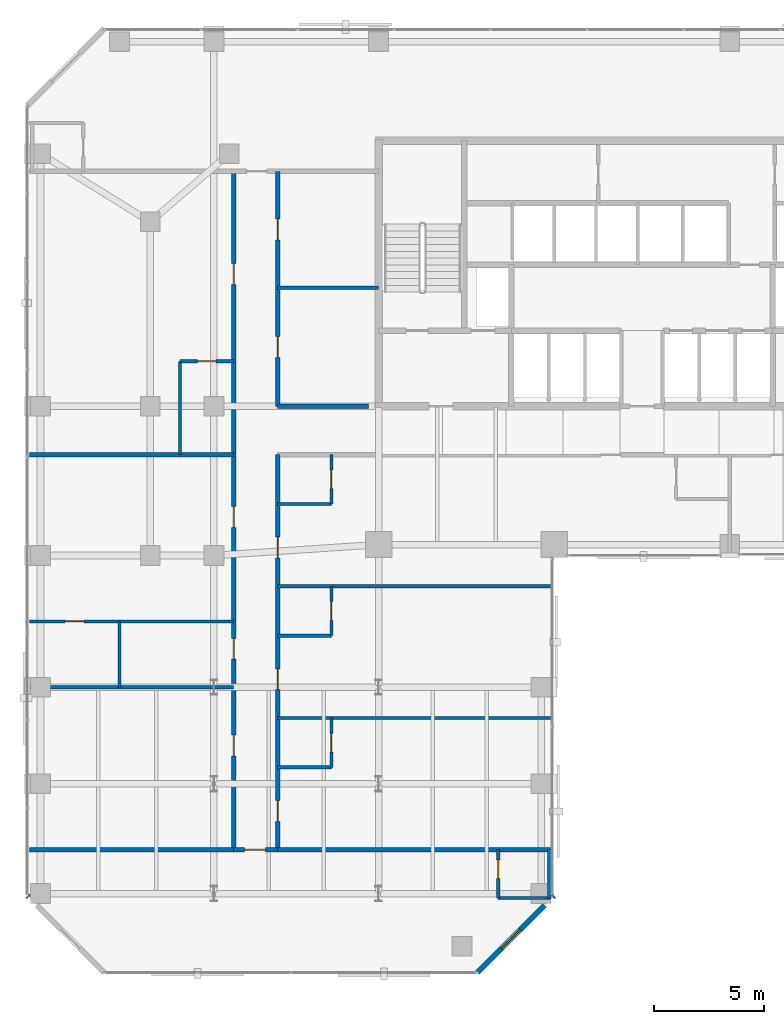
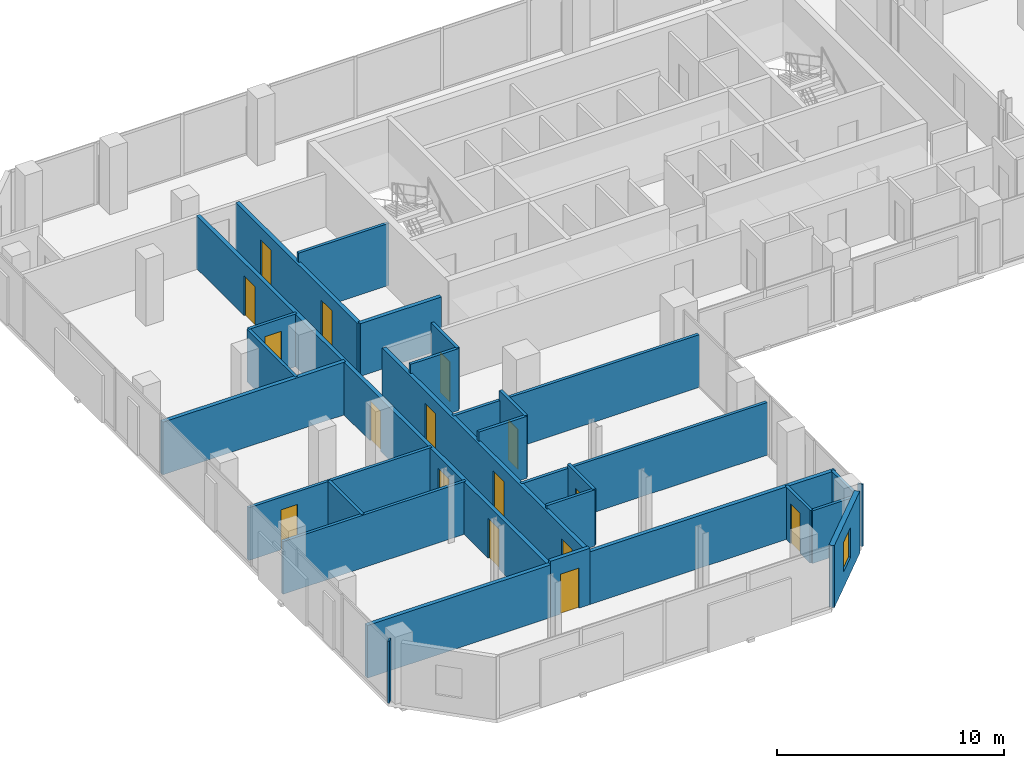
# One storey, part 28 of 35: 28 walls, 16 doors, 1 window, 17 openings.
"""IFC4 building model written with IfcOpenShell, lengths in metres."""

from ifc_helpers import new_model, si_unit, direction, frame, frame_2d, origin, place, context, subcontext, project, spatial, rectangle, extrude, material, layer, layer_set, type_object, element, fill, save


model = new_model("IFC4")

# Units and contexts
model_context = context("Model", 3, precision=1e-05, world=origin(), true_north=direction((0.0, 1.0)))
body_context = subcontext(model_context, "Body", "Model", "MODEL_VIEW")
ifc_project = project(units=[si_unit("LENGTHUNIT", "METRE"), si_unit("AREAUNIT", "SQUARE_METRE"), si_unit("VOLUMEUNIT", "CUBIC_METRE"), si_unit("PLANEANGLEUNIT", "RADIAN"), si_unit("MASSUNIT", "GRAM", prefix="KILO")], contexts=[model_context])

# Site, building, storey
site_placement = place(None, origin())
site = spatial("IfcSite", under=ifc_project, at=site_placement, CompositionType="ELEMENT")
building_placement = place(site_placement, origin())
building = spatial("IfcBuilding", under=site, at=building_placement, Name="Catumbela Crestline Tower", CompositionType="ELEMENT")
storey_placement = place(building_placement, frame((0.0, 0.0, 90.0)))
storey = spatial("IfcBuildingStorey", under=building, at=storey_placement, Name="L22", CompositionType="ELEMENT", Elevation=90.0)

# Walls
ifc_material_1 = material(Name="Acoustic gypsum and mineral-wool partition")
ifc_layer_1 = layer(ifc_material_1, 0.2, Name="Acoustic gypsum and mineral-wool partition")
ifc_layer_set_1 = layer_set([ifc_layer_1], Name="Acoustic gypsum and mineral-wool partition")
wall_type_1 = type_object("IfcWallType", Name="WC-200", PredefinedType="PARTITIONING", material=ifc_layer_set_1)
wall_1_placement = place(storey_placement, frame((0.1, 28.6, 0.0), z_axis=(0.0, 0.0, 1.0), x_axis=(1.0, 0.0, 0.0)))
element("IfcWall", 1, at=wall_1_placement, inside=storey, type_object=wall_type_1, Name="L22 Interior Partition PW-L22-Z2CW-N1", PredefinedType="PARTITIONING", context=body_context, shape_type="SweptSolid", body=[
    extrude(rectangle(XDim=9.3, YDim=0.2, at=frame_2d((4.65, 0.0))), origin(), (0.0, 0.0, 1.0), 2.83),
])
wall_2_placement = place(storey_placement, frame((11.4, 30.8, 0.0), z_axis=(0.0, 0.0, 1.0), x_axis=(1.0, 0.0, 0.0)))
element("IfcWall", 2, at=wall_2_placement, inside=storey, type_object=wall_type_1, Name="L22 Interior Partition PW-L22-Z2CW-N3", PredefinedType="PARTITIONING", context=body_context, shape_type="SweptSolid", body=[
    extrude(rectangle(XDim=4.13, YDim=0.2, at=frame_2d((2.065, 0.0))), origin(), (0.0, 0.0, 1.0), 2.83),
])

# Wall, openings, doors
wall_3_placement = place(storey_placement, frame((9.4, 10.6, 0.0), z_axis=(0.0, 0.0, 1.0), x_axis=(0.0, 1.0, 0.0)))
wall_3 = element("IfcWall", 3, at=wall_3_placement, inside=storey, type_object=wall_type_1, Name="L22 Interior Partition PW-L22-STWC-ENT", PredefinedType="PARTITIONING", context=body_context, shape_type="SweptSolid", body=[
    extrude(rectangle(XDim=30.9, YDim=0.2, at=frame_2d((15.45, 0.0))), origin(), (0.0, 0.0, 1.0), 2.83),
])
opening_1_placement = place(wall_3_placement, frame((8.6794, 0.0, 0.0)))
opening_1 = element("IfcOpeningElement", 4, at=opening_1_placement, cuts=wall_3, Name="Opening DF6-095", PredefinedType="OPENING", context=body_context, shape_type="SweptSolid", body=[
    extrude(rectangle(XDim=0.95, YDim=2.15, at=frame_2d((0.475, 1.075))), frame((0.0, 0.11, 0.0), z_axis=(0.0, -1.0, 0.0), x_axis=(1.0, 0.0, 0.0)), (0.0, 0.0, 1.0), 0.22),
])
opening_2_placement = place(wall_3_placement, frame((14.6795, 0.0, 0.0)))
opening_2 = element("IfcOpeningElement", 5, at=opening_2_placement, cuts=wall_3, Name="Opening DF6-095", PredefinedType="OPENING", context=body_context, shape_type="SweptSolid", body=[
    extrude(rectangle(XDim=0.95, YDim=2.15, at=frame_2d((0.475, 1.075))), frame((0.0, 0.11, 0.0), z_axis=(0.0, -1.0, 0.0), x_axis=(1.0, 0.0, 0.0)), (0.0, 0.0, 1.0), 0.22),
])
opening_3_placement = place(wall_3_placement, frame((4.2733, 0.0, 0.0)))
opening_3 = element("IfcOpeningElement", 6, at=opening_3_placement, cuts=wall_3, Name="Opening DF6-095", PredefinedType="OPENING", context=body_context, shape_type="SweptSolid", body=[
    extrude(rectangle(XDim=0.95, YDim=2.15, at=frame_2d((0.475, 1.075))), frame((0.0, 0.11, 0.0), z_axis=(0.0, -1.0, 0.0), x_axis=(1.0, 0.0, 0.0)), (0.0, 0.0, 1.0), 0.22),
])
opening_4_placement = place(wall_3_placement, frame((25.745, 0.0, 0.0)))
opening_4 = element("IfcOpeningElement", 7, at=opening_4_placement, cuts=wall_3, Name="Opening DF6-095", PredefinedType="OPENING", context=body_context, shape_type="SweptSolid", body=[
    extrude(rectangle(XDim=0.95, YDim=2.15, at=frame_2d((0.475, 1.075))), frame((0.0, 0.11, 0.0), z_axis=(0.0, -1.0, 0.0), x_axis=(1.0, 0.0, 0.0)), (0.0, 0.0, 1.0), 0.22),
])
ifc_material_2 = material(Name="Aluminium alloy AW-6060-T66", Category="aluminium")
door_type_1 = type_object("IfcDoorType", Name="DF6-095", OperationType="NOTDEFINED", PredefinedType="DOOR", material=ifc_material_2)
door_1_placement = place(opening_1_placement, origin())
door_1 = element("IfcDoor", 8, at=door_1_placement, inside=storey, type_object=door_type_1, Name="L22 Interior Door DR-L22-STWC-ENT", OperationType="SINGLE_SWING_RIGHT", OverallHeight=2.15, OverallWidth=0.95, PredefinedType="DOOR", context=body_context, shape_type="SweptSolid", body=[
    extrude(rectangle(XDim=0.95, YDim=2.15, at=frame_2d((0.475, 1.075))), frame((0.0, 0.025, 0.0), z_axis=(0.0, -1.0, 0.0), x_axis=(1.0, 0.0, 0.0)), (0.0, 0.0, 1.0), 0.05),
])
fill(opening_1, door_1)
door_2_placement = place(opening_2_placement, origin())
door_2 = element("IfcDoor", 9, at=door_2_placement, inside=storey, type_object=door_type_1, Name="L22 Interior Door DR-L22-HKP-ENT", OperationType="SINGLE_SWING_RIGHT", OverallHeight=2.15, OverallWidth=0.95, PredefinedType="DOOR", context=body_context, shape_type="SweptSolid", body=[
    extrude(rectangle(XDim=0.95, YDim=2.15, at=frame_2d((0.475, 1.075))), frame((0.0, 0.025, 0.0), z_axis=(0.0, -1.0, 0.0), x_axis=(1.0, 0.0, 0.0)), (0.0, 0.0, 1.0), 0.05),
])
fill(opening_2, door_2)
door_3_placement = place(opening_3_placement, origin())
door_3 = element("IfcDoor", 10, at=door_3_placement, inside=storey, type_object=door_type_1, Name="L22 Interior Door DR-L22-WEXT-ENT", OperationType="SINGLE_SWING_RIGHT", OverallHeight=2.15, OverallWidth=0.95, PredefinedType="DOOR", context=body_context, shape_type="SweptSolid", body=[
    extrude(rectangle(XDim=0.95, YDim=2.15, at=frame_2d((0.475, 1.075))), frame((0.0, 0.025, 0.0), z_axis=(0.0, -1.0, 0.0), x_axis=(1.0, 0.0, 0.0)), (0.0, 0.0, 1.0), 0.05),
])
fill(opening_3, door_3)
door_4_placement = place(opening_4_placement, origin())
door_4 = element("IfcDoor", 11, at=door_4_placement, inside=storey, type_object=door_type_1, Name="L22 Interior Door DR-L22-Z2NW1-ENT", OperationType="SINGLE_SWING_LEFT", OverallHeight=2.15, OverallWidth=0.95, PredefinedType="DOOR", context=body_context, shape_type="SweptSolid", body=[
    extrude(rectangle(XDim=0.95, YDim=2.15, at=frame_2d((0.475, 1.075))), frame((0.0, 0.025, 0.0), z_axis=(0.0, -1.0, 0.0), x_axis=(1.0, 0.0, 0.0)), (0.0, 0.0, 1.0), 0.05),
])
fill(opening_4, door_4)

wall_4_placement = place(storey_placement, frame((11.4, 30.8, 0.0), z_axis=(0.0, 0.0, 1.0), x_axis=(0.0, 1.0, 0.0)))
wall_4 = element("IfcWall", 12, at=wall_4_placement, inside=storey, type_object=wall_type_1, Name="L22 Interior Partition PW-L22-Z2NE1-ENT", PredefinedType="PARTITIONING", context=body_context, shape_type="SweptSolid", body=[
    extrude(rectangle(XDim=10.7, YDim=0.2, at=frame_2d((5.35, 0.0))), origin(), (0.0, 0.0, 1.0), 2.83),
])
opening_5_placement = place(wall_4_placement, frame((2.225, 0.0, 0.0)))
opening_5 = element("IfcOpeningElement", 13, at=opening_5_placement, cuts=wall_4, Name="Opening DF6-095", PredefinedType="OPENING", context=body_context, shape_type="SweptSolid", body=[
    extrude(rectangle(XDim=0.95, YDim=2.15, at=frame_2d((0.475, 1.075))), frame((0.0, 0.11, 0.0), z_axis=(0.0, -1.0, 0.0), x_axis=(1.0, 0.0, 0.0)), (0.0, 0.0, 1.0), 0.22),
])
opening_6_placement = place(wall_4_placement, frame((7.575, 0.0, 0.0)))
opening_6 = element("IfcOpeningElement", 14, at=opening_6_placement, cuts=wall_4, Name="Opening DF6-095", PredefinedType="OPENING", context=body_context, shape_type="SweptSolid", body=[
    extrude(rectangle(XDim=0.95, YDim=2.15, at=frame_2d((0.475, 1.075))), frame((0.0, 0.11, 0.0), z_axis=(0.0, -1.0, 0.0), x_axis=(1.0, 0.0, 0.0)), (0.0, 0.0, 1.0), 0.22),
])
door_5_placement = place(opening_5_placement, origin())
door_5 = element("IfcDoor", 15, at=door_5_placement, inside=storey, type_object=door_type_1, Name="L22 Interior Door DR-L22-Z2NE1-ENT", OperationType="SINGLE_SWING_LEFT", OverallHeight=2.15, OverallWidth=0.95, PredefinedType="DOOR", context=body_context, shape_type="SweptSolid", body=[
    extrude(rectangle(XDim=0.95, YDim=2.15, at=frame_2d((0.475, 1.075))), frame((0.0, 0.025, 0.0), z_axis=(0.0, -1.0, 0.0), x_axis=(1.0, 0.0, 0.0)), (0.0, 0.0, 1.0), 0.05),
])
fill(opening_5, door_5)
door_6_placement = place(opening_6_placement, origin())
door_6 = element("IfcDoor", 16, at=door_6_placement, inside=storey, type_object=door_type_1, Name="L22 Interior Door DR-L22-Z2NE2-ENT", OperationType="SINGLE_SWING_RIGHT", OverallHeight=2.15, OverallWidth=0.95, PredefinedType="DOOR", context=body_context, shape_type="SweptSolid", body=[
    extrude(rectangle(XDim=0.95, YDim=2.15, at=frame_2d((0.475, 1.075))), frame((0.0, 0.025, 0.0), z_axis=(0.0, -1.0, 0.0), x_axis=(1.0, 0.0, 0.0)), (0.0, 0.0, 1.0), 0.05),
])
fill(opening_6, door_6)

# Wall, opening, door
wall_5_placement = place(storey_placement, frame((9.4, 10.6, 0.0), z_axis=(0.0, 0.0, 1.0), x_axis=(1.0, 0.0, 0.0)))
wall_5 = element("IfcWall", 17, at=wall_5_placement, inside=storey, type_object=wall_type_1, Name="L22 Interior Partition PW-L22-STIP-ENT", PredefinedType="PARTITIONING", context=body_context, shape_type="SweptSolid", body=[
    extrude(rectangle(XDim=2.0, YDim=0.2, at=frame_2d((1.0, 0.0))), origin(), (0.0, 0.0, 1.0), 3.02),
])
opening_7_placement = place(wall_5_placement, frame((0.5025, 0.0, 0.0)))
opening_7 = element("IfcOpeningElement", 18, at=opening_7_placement, cuts=wall_5, Name="Opening DF6-095", PredefinedType="OPENING", context=body_context, shape_type="SweptSolid", body=[
    extrude(rectangle(XDim=0.95, YDim=2.15, at=frame_2d((0.475, 1.075))), frame((0.0, 0.11, 0.0), z_axis=(0.0, -1.0, 0.0), x_axis=(1.0, 0.0, 0.0)), (0.0, 0.0, 1.0), 0.22),
])
door_7_placement = place(opening_7_placement, origin())
door_7 = element("IfcDoor", 19, at=door_7_placement, inside=storey, type_object=door_type_1, Name="L22 Interior Door DR-L22-STIP-ENT", OperationType="SINGLE_SWING_LEFT", OverallHeight=2.15, OverallWidth=0.95, PredefinedType="DOOR", context=body_context, shape_type="SweptSolid", body=[
    extrude(rectangle(XDim=0.95, YDim=2.15, at=frame_2d((0.475, 1.075))), frame((0.0, 0.025, 0.0), z_axis=(0.0, -1.0, 0.0), x_axis=(1.0, 0.0, 0.0)), (0.0, 0.0, 1.0), 0.05),
])
fill(opening_7, door_7)

# Wall, openings, doors
wall_6_placement = place(storey_placement, frame((11.4, 10.6, 0.0), z_axis=(0.0, 0.0, 1.0), x_axis=(0.0, 1.0, 0.0)))
wall_6 = element("IfcWall", 20, at=wall_6_placement, inside=storey, type_object=wall_type_1, Name="L22 Interior Partition PW-L22-SW1-ENT", PredefinedType="PARTITIONING", context=body_context, shape_type="SweptSolid", body=[
    extrude(rectangle(XDim=18.0, YDim=0.2, at=frame_2d((9.0, 0.0))), origin(), (0.0, 0.0, 1.0), 2.83),
])
opening_8_placement = place(wall_6_placement, frame((1.29, 0.0, 0.0)))
opening_8 = element("IfcOpeningElement", 21, at=opening_8_placement, cuts=wall_6, Name="Opening DF6-095", PredefinedType="OPENING", context=body_context, shape_type="SweptSolid", body=[
    extrude(rectangle(XDim=0.95, YDim=2.15, at=frame_2d((0.475, 1.075))), frame((0.0, 0.11, 0.0), z_axis=(0.0, -1.0, 0.0), x_axis=(1.0, 0.0, 0.0)), (0.0, 0.0, 1.0), 0.22),
])
opening_9_placement = place(wall_6_placement, frame((7.29, 0.0, 0.0)))
opening_9 = element("IfcOpeningElement", 22, at=opening_9_placement, cuts=wall_6, Name="Opening DF6-095", PredefinedType="OPENING", context=body_context, shape_type="SweptSolid", body=[
    extrude(rectangle(XDim=0.95, YDim=2.15, at=frame_2d((0.475, 1.075))), frame((0.0, 0.11, 0.0), z_axis=(0.0, -1.0, 0.0), x_axis=(1.0, 0.0, 0.0)), (0.0, 0.0, 1.0), 0.22),
])
opening_10_placement = place(wall_6_placement, frame((13.29, 0.0, 0.0)))
opening_10 = element("IfcOpeningElement", 23, at=opening_10_placement, cuts=wall_6, Name="Opening DF6-095", PredefinedType="OPENING", context=body_context, shape_type="SweptSolid", body=[
    extrude(rectangle(XDim=0.95, YDim=2.15, at=frame_2d((0.475, 1.075))), frame((0.0, 0.11, 0.0), z_axis=(0.0, -1.0, 0.0), x_axis=(1.0, 0.0, 0.0)), (0.0, 0.0, 1.0), 0.22),
])
door_8_placement = place(opening_8_placement, origin())
door_8 = element("IfcDoor", 24, at=door_8_placement, inside=storey, type_object=door_type_1, Name="L22 Interior Door DR-L22-SW1-ENT", OperationType="SINGLE_SWING_RIGHT", OverallHeight=2.15, OverallWidth=0.95, PredefinedType="DOOR", context=body_context, shape_type="SweptSolid", body=[
    extrude(rectangle(XDim=0.95, YDim=2.15, at=frame_2d((0.475, 1.075))), frame((0.0, 0.025, 0.0), z_axis=(0.0, -1.0, 0.0), x_axis=(1.0, 0.0, 0.0)), (0.0, 0.0, 1.0), 0.05),
])
fill(opening_8, door_8)
door_9_placement = place(opening_9_placement, origin())
door_9 = element("IfcDoor", 25, at=door_9_placement, inside=storey, type_object=door_type_1, Name="L22 Interior Door DR-L22-SW2-ENT", OperationType="SINGLE_SWING_LEFT", OverallHeight=2.15, OverallWidth=0.95, PredefinedType="DOOR", context=body_context, shape_type="SweptSolid", body=[
    extrude(rectangle(XDim=0.95, YDim=2.15, at=frame_2d((0.475, 1.075))), frame((0.0, 0.025, 0.0), z_axis=(0.0, -1.0, 0.0), x_axis=(1.0, 0.0, 0.0)), (0.0, 0.0, 1.0), 0.05),
])
fill(opening_9, door_9)
door_10_placement = place(opening_10_placement, origin())
door_10 = element("IfcDoor", 26, at=door_10_placement, inside=storey, type_object=door_type_1, Name="L22 Interior Door DR-L22-SW3-ENT", OperationType="SINGLE_SWING_RIGHT", OverallHeight=2.15, OverallWidth=0.95, PredefinedType="DOOR", context=body_context, shape_type="SweptSolid", body=[
    extrude(rectangle(XDim=0.95, YDim=2.15, at=frame_2d((0.475, 1.075))), frame((0.0, 0.025, 0.0), z_axis=(0.0, -1.0, 0.0), x_axis=(1.0, 0.0, 0.0)), (0.0, 0.0, 1.0), 0.05),
])
fill(opening_10, door_10)

# Wall, opening, window
ifc_material_3 = material(Name="Angolan grey-ochre granite", Category="masonry")
ifc_layer_2 = layer(ifc_material_3, 0.25, Name="Angolan grey-ochre granite")
ifc_layer_set_2 = layer_set([ifc_layer_2], Name="Angolan grey-ochre granite")
wall_type_2 = type_object("IfcWallType", Name="WE-250", PredefinedType="STANDARD", material=ifc_layer_set_2)
wall_7_placement = place(storey_placement, frame((20.5, 5.0, 0.0), z_axis=(0.0, 0.0, 1.0), x_axis=(0.707106781187, 0.707106781187, 0.0)))
wall_7 = element("IfcWall", 27, at=wall_7_placement, inside=storey, type_object=wall_type_2, Name="L22 Granite Punched Window Wall 1-1", PredefinedType="STANDARD", context=body_context, shape_type="SweptSolid", body=[
    extrude(rectangle(XDim=4.3298, YDim=0.25, at=frame_2d((2.1649, 0.0))), origin(), (0.0, 0.0, 1.0), 3.33),
])
opening_11_placement = place(wall_7_placement, frame((1.5649, 0.0, 0.85)))
opening_11 = element("IfcOpeningElement", 28, at=opening_11_placement, cuts=wall_7, Name="Opening WN-02", PredefinedType="OPENING", context=body_context, shape_type="SweptSolid", body=[
    extrude(rectangle(XDim=1.2, YDim=1.6, at=frame_2d((0.6, 0.8))), frame((0.0, 0.135, 0.0), z_axis=(0.0, -1.0, 0.0), x_axis=(1.0, 0.0, 0.0)), (0.0, 0.0, 1.0), 0.27),
])
ifc_material_4 = material(Name="Low-E laminated solar-control double glazing", Category="glass")
window_type = type_object("IfcWindowType", Name="WO-1200", PartitioningType="SINGLE_PANEL", PredefinedType="WINDOW", material=ifc_material_4)
window_placement = place(opening_11_placement, origin())
window = element("IfcWindow", 29, at=window_placement, inside=storey, type_object=window_type, Name="L22 Facade Vision Window 130", OverallHeight=1.6, OverallWidth=1.2, PartitioningType="SINGLE_PANEL", PredefinedType="WINDOW", context=body_context, shape_type="SweptSolid", body=[
    extrude(rectangle(XDim=1.2, YDim=1.6, at=frame_2d((0.6, 0.8))), frame((0.0, 0.03, 0.0), z_axis=(0.0, -1.0, 0.0), x_axis=(1.0, 0.0, 0.0)), (0.0, 0.0, 1.0), 0.06),
])
fill(opening_11, window)

# Walls
for number, where, z_axis, x_axis, name in (
    (30, (23.9384, 8.4384, 0.0), (0.0, 0.0, 1.0), (0.707106781187, 0.707106781187, 0.0), "L22 Granite Punched Window Wall 1-2"),
    (31, (0.0, 8.5, 0.0), (0.0, 0.0, 1.0), (0.707106781187, -0.707106781187, 0.0), "L22 Granite Punched Window Wall 10-1"),
):
    element("IfcWall", number, at=place(storey_placement, frame(where, z_axis=z_axis, x_axis=x_axis)), inside=storey, type_object=wall_type_2, Name=name, PredefinedType="STANDARD", context=body_context, shape_type="SweptSolid", body=[
        extrude(rectangle(XDim=0.0871, YDim=0.25, at=frame_2d((0.0436, 0.0))), origin(), (0.0, 0.0, 1.0), 3.33),
    ])
ifc_layer_3 = layer(ifc_material_1, 0.15, Name="Acoustic gypsum and mineral-wool partition")
ifc_layer_set_3 = layer_set([ifc_layer_3], Name="Acoustic gypsum and mineral-wool partition")
wall_type_3 = type_object("IfcWallType", Name="WP-150", PredefinedType="PARTITIONING", material=ifc_layer_set_3)
wall_8_placement = place(storey_placement, frame((0.1, 18.0, 0.0), z_axis=(0.0, 0.0, 1.0), x_axis=(1.0, 0.0, 0.0)))
element("IfcWall", 32, at=wall_8_placement, inside=storey, type_object=wall_type_3, Name="L22 Interior Partition PW-L22-Z2W-1", PredefinedType="PARTITIONING", context=body_context, shape_type="SweptSolid", body=[
    extrude(rectangle(XDim=9.3, YDim=0.15, at=frame_2d((4.65, 0.0))), origin(), (0.0, 0.0, 1.0), 2.83),
])

# Wall, opening, door
wall_9_placement = place(storey_placement, frame((0.1, 21.0, 0.0), z_axis=(0.0, 0.0, 1.0), x_axis=(1.0, 0.0, 0.0)))
wall_9 = element("IfcWall", 33, at=wall_9_placement, inside=storey, type_object=wall_type_3, Name="L22 Interior Partition PW-L22-Z2W-2", PredefinedType="PARTITIONING", context=body_context, shape_type="SweptSolid", body=[
    extrude(rectangle(XDim=9.3, YDim=0.15, at=frame_2d((4.65, 0.0))), origin(), (0.0, 0.0, 1.0), 2.83),
])
opening_12_placement = place(wall_9_placement, frame((1.625, 0.0, 0.0)))
opening_12 = element("IfcOpeningElement", 34, at=opening_12_placement, cuts=wall_9, Name="Opening DI-085", PredefinedType="OPENING", context=body_context, shape_type="SweptSolid", body=[
    extrude(rectangle(XDim=0.85, YDim=2.15, at=frame_2d((0.425, 1.075))), frame((0.0, 0.085, 0.0), z_axis=(0.0, -1.0, 0.0), x_axis=(1.0, 0.0, 0.0)), (0.0, 0.0, 1.0), 0.17),
])
door_type_2 = type_object("IfcDoorType", Name="DI-085", OperationType="NOTDEFINED", PredefinedType="DOOR", material=ifc_material_2)
door_11_placement = place(opening_12_placement, origin())
door_11 = element("IfcDoor", 35, at=door_11_placement, inside=storey, type_object=door_type_2, Name="L22 Interior Door DR-L22-STSTO", OperationType="SINGLE_SWING_LEFT", OverallHeight=2.15, OverallWidth=0.85, PredefinedType="DOOR", context=body_context, shape_type="SweptSolid", body=[
    extrude(rectangle(XDim=0.85, YDim=2.15, at=frame_2d((0.425, 1.075))), frame((0.0, 0.025, 0.0), z_axis=(0.0, -1.0, 0.0), x_axis=(1.0, 0.0, 0.0)), (0.0, 0.0, 1.0), 0.05),
])
fill(opening_12, door_11)

# Walls
wall_10_placement = place(storey_placement, frame((4.2, 18.0, 0.0), z_axis=(0.0, 0.0, 1.0), x_axis=(0.0, 1.0, 0.0)))
element("IfcWall", 36, at=wall_10_placement, inside=storey, type_object=wall_type_3, Name="L22 Interior Partition PW-L22-Z2W-WCX", PredefinedType="PARTITIONING", context=body_context, shape_type="SweptSolid", body=[
    extrude(rectangle(XDim=3.0, YDim=0.15, at=frame_2d((1.5, 0.0))), origin(), (0.0, 0.0, 1.0), 2.83),
])
wall_11_placement = place(storey_placement, frame((6.95, 28.6, 0.0), z_axis=(0.0, 0.0, 1.0), x_axis=(0.0, 1.0, 0.0)))
element("IfcWall", 37, at=wall_11_placement, inside=storey, type_object=wall_type_3, Name="L22 Interior Partition PW-L22-Z2NW1-BWW", PredefinedType="PARTITIONING", context=body_context, shape_type="SweptSolid", body=[
    extrude(rectangle(XDim=4.25, YDim=0.15, at=frame_2d((2.125, 0.0))), origin(), (0.0, 0.0, 1.0), 2.83),
])

# Wall, opening, door
wall_12_placement = place(storey_placement, frame((6.95, 32.85, 0.0), z_axis=(0.0, 0.0, 1.0), x_axis=(1.0, 0.0, 0.0)))
wall_12 = element("IfcWall", 38, at=wall_12_placement, inside=storey, type_object=wall_type_3, Name="L22 Interior Partition PW-L22-Z2NW1-BNW", PredefinedType="PARTITIONING", context=body_context, shape_type="SweptSolid", body=[
    extrude(rectangle(XDim=2.45, YDim=0.15, at=frame_2d((1.225, 0.0))), origin(), (0.0, 0.0, 1.0), 2.83),
])
opening_13_placement = place(wall_12_placement, frame((0.8, 0.0, 0.0)))
opening_13 = element("IfcOpeningElement", 39, at=opening_13_placement, cuts=wall_12, Name="Opening DI-085", PredefinedType="OPENING", context=body_context, shape_type="SweptSolid", body=[
    extrude(rectangle(XDim=0.85, YDim=2.15, at=frame_2d((0.425, 1.075))), frame((0.0, 0.085, 0.0), z_axis=(0.0, -1.0, 0.0), x_axis=(1.0, 0.0, 0.0)), (0.0, 0.0, 1.0), 0.17),
])
door_12_placement = place(opening_13_placement, origin())
door_12 = element("IfcDoor", 40, at=door_12_placement, inside=storey, type_object=door_type_2, Name="L22 Interior Door DR-L22-Z2NW1-BTH", OperationType="SINGLE_SWING_RIGHT", OverallHeight=2.15, OverallWidth=0.85, PredefinedType="DOOR", context=body_context, shape_type="SweptSolid", body=[
    extrude(rectangle(XDim=0.85, YDim=2.15, at=frame_2d((0.425, 1.075))), frame((0.0, 0.025, 0.0), z_axis=(0.0, -1.0, 0.0), x_axis=(1.0, 0.0, 0.0)), (0.0, 0.0, 1.0), 0.05),
])
fill(opening_13, door_12)

# Walls
wall_13_placement = place(storey_placement, frame((11.4, 36.2, 0.0), z_axis=(0.0, 0.0, 1.0), x_axis=(1.0, 0.0, 0.0)))
element("IfcWall", 41, at=wall_13_placement, inside=storey, type_object=wall_type_3, Name="L22 Interior Partition PW-L22-Z2G0-M", PredefinedType="PARTITIONING", context=body_context, shape_type="SweptSolid", body=[
    extrude(rectangle(XDim=4.6, YDim=0.15, at=frame_2d((2.3, 0.0))), origin(), (0.0, 0.0, 1.0), 3.33),
])
wall_14_placement = place(storey_placement, frame((21.45, 8.4, 0.0), z_axis=(0.0, 0.0, 1.0), x_axis=(1.0, 0.0, 0.0)))
element("IfcWall", 42, at=wall_14_placement, inside=storey, type_object=wall_type_3, Name="L22 Interior Partition PW-L22-STIP-BHW", PredefinedType="PARTITIONING", context=body_context, shape_type="SweptSolid", body=[
    extrude(rectangle(XDim=2.35, YDim=0.15, at=frame_2d((1.175, 0.0))), origin(), (0.0, 0.0, 1.0), 2.83),
])

# Wall, opening, door
wall_15_placement = place(storey_placement, frame((21.45, 8.4, 0.0), z_axis=(0.0, 0.0, 1.0), x_axis=(0.0, 1.0, 0.0)))
wall_15 = element("IfcWall", 43, at=wall_15_placement, inside=storey, type_object=wall_type_3, Name="L22 Interior Partition PW-L22-STIP-BWW", PredefinedType="PARTITIONING", context=body_context, shape_type="SweptSolid", body=[
    extrude(rectangle(XDim=2.2, YDim=0.15, at=frame_2d((1.1, 0.0))), origin(), (0.0, 0.0, 1.0), 2.83),
])
opening_14_placement = place(wall_15_placement, frame((0.8925, 0.0, 0.0)))
opening_14 = element("IfcOpeningElement", 44, at=opening_14_placement, cuts=wall_15, Name="Opening DI-085", PredefinedType="OPENING", context=body_context, shape_type="SweptSolid", body=[
    extrude(rectangle(XDim=0.85, YDim=2.15, at=frame_2d((0.425, 1.075))), frame((0.0, 0.085, 0.0), z_axis=(0.0, -1.0, 0.0), x_axis=(1.0, 0.0, 0.0)), (0.0, 0.0, 1.0), 0.17),
])
door_13_placement = place(opening_14_placement, origin())
door_13 = element("IfcDoor", 45, at=door_13_placement, inside=storey, type_object=door_type_2, Name="L22 Interior Door DR-L22-STIP-BTH", OperationType="SINGLE_SWING_RIGHT", OverallHeight=2.15, OverallWidth=0.85, PredefinedType="DOOR", context=body_context, shape_type="SweptSolid", body=[
    extrude(rectangle(XDim=0.85, YDim=2.15, at=frame_2d((0.425, 1.075))), frame((0.0, 0.025, 0.0), z_axis=(0.0, -1.0, 0.0), x_axis=(1.0, 0.0, 0.0)), (0.0, 0.0, 1.0), 0.05),
])
fill(opening_14, door_13)

# Walls
wall_16_placement = place(storey_placement, frame((23.78, 10.6, 0.0), z_axis=(0.0, 0.0, 1.0), x_axis=(0.0, -1.0, 0.0)))
element("IfcWall", 46, at=wall_16_placement, inside=storey, type_object=wall_type_3, Name="L22 Interior Partition PW-L22-STIP-BCL-2", PredefinedType="PARTITIONING", context=body_context, shape_type="SweptSolid", body=[
    extrude(rectangle(XDim=2.22, YDim=0.15, at=frame_2d((1.11, 0.0))), origin(), (0.0, 0.0, 1.0), 2.83),
])
wall_17_placement = place(storey_placement, frame((11.4, 14.35, 0.0), z_axis=(0.0, 0.0, 1.0), x_axis=(1.0, 0.0, 0.0)))
element("IfcWall", 47, at=wall_17_placement, inside=storey, type_object=wall_type_3, Name="L22 Interior Partition PW-L22-SW1-BSW", PredefinedType="PARTITIONING", context=body_context, shape_type="SweptSolid", body=[
    extrude(rectangle(XDim=2.45, YDim=0.15, at=frame_2d((1.225, 0.0))), origin(), (0.0, 0.0, 1.0), 3.02),
])

# Wall, opening, door
wall_18_placement = place(storey_placement, frame((13.85, 14.35, 0.0), z_axis=(0.0, 0.0, 1.0), x_axis=(0.0, 1.0, 0.0)))
wall_18 = element("IfcWall", 48, at=wall_18_placement, inside=storey, type_object=wall_type_3, Name="L22 Interior Partition PW-L22-SW1-BEW", PredefinedType="PARTITIONING", context=body_context, shape_type="SweptSolid", body=[
    extrude(rectangle(XDim=2.25, YDim=0.15, at=frame_2d((1.125, 0.0))), origin(), (0.0, 0.0, 1.0), 3.02),
])
opening_15_placement = place(wall_18_placement, frame((0.7, 0.0, 0.0)))
opening_15 = element("IfcOpeningElement", 49, at=opening_15_placement, cuts=wall_18, Name="Opening DI-085", PredefinedType="OPENING", context=body_context, shape_type="SweptSolid", body=[
    extrude(rectangle(XDim=0.85, YDim=2.15, at=frame_2d((0.425, 1.075))), frame((0.0, 0.085, 0.0), z_axis=(0.0, -1.0, 0.0), x_axis=(1.0, 0.0, 0.0)), (0.0, 0.0, 1.0), 0.17),
])
door_14_placement = place(opening_15_placement, origin())
door_14 = element("IfcDoor", 50, at=door_14_placement, inside=storey, type_object=door_type_2, Name="L22 Interior Door DR-L22-SW1-BTH", OperationType="SINGLE_SWING_LEFT", OverallHeight=2.15, OverallWidth=0.85, PredefinedType="DOOR", context=body_context, shape_type="SweptSolid", body=[
    extrude(rectangle(XDim=0.85, YDim=2.15, at=frame_2d((0.425, 1.075))), frame((0.0, 0.025, 0.0), z_axis=(0.0, -1.0, 0.0), x_axis=(1.0, 0.0, 0.0)), (0.0, 0.0, 1.0), 0.05),
])
fill(opening_15, door_14)

# Walls
wall_19_placement = place(storey_placement, frame((11.4, 16.6, 0.0), z_axis=(0.0, 0.0, 1.0), x_axis=(1.0, 0.0, 0.0)))
element("IfcWall", 51, at=wall_19_placement, inside=storey, type_object=wall_type_3, Name="L22 Interior Partition PW-L22-SW1-BCL-1", PredefinedType="PARTITIONING", context=body_context, shape_type="SweptSolid", body=[
    extrude(rectangle(XDim=12.5, YDim=0.15, at=frame_2d((6.25, 0.0))), origin(), (0.0, 0.0, 1.0), 2.83),
])
wall_20_placement = place(storey_placement, frame((11.4, 20.35, 0.0), z_axis=(0.0, 0.0, 1.0), x_axis=(1.0, 0.0, 0.0)))
element("IfcWall", 52, at=wall_20_placement, inside=storey, type_object=wall_type_3, Name="L22 Interior Partition PW-L22-SW2-BSW", PredefinedType="PARTITIONING", context=body_context, shape_type="SweptSolid", body=[
    extrude(rectangle(XDim=2.45, YDim=0.15, at=frame_2d((1.225, 0.0))), origin(), (0.0, 0.0, 1.0), 3.33),
])

# Wall, opening, door
wall_21_placement = place(storey_placement, frame((13.85, 20.35, 0.0), z_axis=(0.0, 0.0, 1.0), x_axis=(0.0, 1.0, 0.0)))
wall_21 = element("IfcWall", 53, at=wall_21_placement, inside=storey, type_object=wall_type_3, Name="L22 Interior Partition PW-L22-SW2-BEW", PredefinedType="PARTITIONING", context=body_context, shape_type="SweptSolid", body=[
    extrude(rectangle(XDim=2.25, YDim=0.15, at=frame_2d((1.125, 0.0))), origin(), (0.0, 0.0, 1.0), 3.33),
])
opening_16_placement = place(wall_21_placement, frame((0.7, 0.0, 0.0)))
opening_16 = element("IfcOpeningElement", 54, at=opening_16_placement, cuts=wall_21, Name="Opening DI-085", PredefinedType="OPENING", context=body_context, shape_type="SweptSolid", body=[
    extrude(rectangle(XDim=0.85, YDim=2.15, at=frame_2d((0.425, 1.075))), frame((0.0, 0.085, 0.0), z_axis=(0.0, -1.0, 0.0), x_axis=(1.0, 0.0, 0.0)), (0.0, 0.0, 1.0), 0.17),
])
door_15_placement = place(opening_16_placement, origin())
door_15 = element("IfcDoor", 55, at=door_15_placement, inside=storey, type_object=door_type_2, Name="L22 Interior Door DR-L22-SW2-BTH", OperationType="SINGLE_SWING_LEFT", OverallHeight=2.15, OverallWidth=0.85, PredefinedType="DOOR", context=body_context, shape_type="SweptSolid", body=[
    extrude(rectangle(XDim=0.85, YDim=2.15, at=frame_2d((0.425, 1.075))), frame((0.0, 0.025, 0.0), z_axis=(0.0, -1.0, 0.0), x_axis=(1.0, 0.0, 0.0)), (0.0, 0.0, 1.0), 0.05),
])
fill(opening_16, door_15)

# Walls
wall_22_placement = place(storey_placement, frame((11.4, 22.6, 0.0), z_axis=(0.0, 0.0, 1.0), x_axis=(1.0, 0.0, 0.0)))
element("IfcWall", 56, at=wall_22_placement, inside=storey, type_object=wall_type_3, Name="L22 Interior Partition PW-L22-SW2-BCL-1", PredefinedType="PARTITIONING", context=body_context, shape_type="SweptSolid", body=[
    extrude(rectangle(XDim=12.5, YDim=0.15, at=frame_2d((6.25, 0.0))), origin(), (0.0, 0.0, 1.0), 2.83),
])
wall_23_placement = place(storey_placement, frame((11.4, 26.35, 0.0), z_axis=(0.0, 0.0, 1.0), x_axis=(1.0, 0.0, 0.0)))
element("IfcWall", 57, at=wall_23_placement, inside=storey, type_object=wall_type_3, Name="L22 Interior Partition PW-L22-SW3-BSW", PredefinedType="PARTITIONING", context=body_context, shape_type="SweptSolid", body=[
    extrude(rectangle(XDim=2.45, YDim=0.15, at=frame_2d((1.225, 0.0))), origin(), (0.0, 0.0, 1.0), 3.33),
])

# Wall, opening, door
wall_24_placement = place(storey_placement, frame((13.85, 26.35, 0.0), z_axis=(0.0, 0.0, 1.0), x_axis=(0.0, 1.0, 0.0)))
wall_24 = element("IfcWall", 58, at=wall_24_placement, inside=storey, type_object=wall_type_3, Name="L22 Interior Partition PW-L22-SW3-BEW", PredefinedType="PARTITIONING", context=body_context, shape_type="SweptSolid", body=[
    extrude(rectangle(XDim=2.25, YDim=0.15, at=frame_2d((1.125, 0.0))), origin(), (0.0, 0.0, 1.0), 3.33),
])
opening_17_placement = place(wall_24_placement, frame((0.7, 0.0, 0.0)))
opening_17 = element("IfcOpeningElement", 59, at=opening_17_placement, cuts=wall_24, Name="Opening DI-085", PredefinedType="OPENING", context=body_context, shape_type="SweptSolid", body=[
    extrude(rectangle(XDim=0.85, YDim=2.15, at=frame_2d((0.425, 1.075))), frame((0.0, 0.085, 0.0), z_axis=(0.0, -1.0, 0.0), x_axis=(1.0, 0.0, 0.0)), (0.0, 0.0, 1.0), 0.17),
])
door_16_placement = place(opening_17_placement, origin())
door_16 = element("IfcDoor", 60, at=door_16_placement, inside=storey, type_object=door_type_2, Name="L22 Interior Door DR-L22-SW3-BTH", OperationType="SINGLE_SWING_LEFT", OverallHeight=2.15, OverallWidth=0.85, PredefinedType="DOOR", context=body_context, shape_type="SweptSolid", body=[
    extrude(rectangle(XDim=0.85, YDim=2.15, at=frame_2d((0.425, 1.075))), frame((0.0, 0.025, 0.0), z_axis=(0.0, -1.0, 0.0), x_axis=(1.0, 0.0, 0.0)), (0.0, 0.0, 1.0), 0.05),
])
fill(opening_17, door_16)

# Walls
ifc_layer_4 = layer(ifc_material_1, 0.2, Name="Acoustic gypsum and mineral-wool partition")
ifc_layer_set_4 = layer_set([ifc_layer_4], Name="Acoustic gypsum and mineral-wool partition")
wall_type_4 = type_object("IfcWallType", Name="WY-200", PredefinedType="PARTITIONING", material=ifc_layer_set_4)
wall_25_placement = place(storey_placement, frame((0.1, 10.6, 0.0), z_axis=(0.0, 0.0, 1.0), x_axis=(1.0, 0.0, 0.0)))
element("IfcWall", 61, at=wall_25_placement, inside=storey, type_object=wall_type_4, Name="L22 Interior Partition PW-L22-STIP-WL", PredefinedType="PARTITIONING", context=body_context, shape_type="SweptSolid", body=[
    extrude(rectangle(XDim=9.3, YDim=0.2, at=frame_2d((4.65, 0.0))), origin(), (0.0, 0.0, 1.0), 2.83),
])
wall_26_placement = place(storey_placement, frame((11.4, 10.6, 0.0), z_axis=(0.0, 0.0, 1.0), x_axis=(1.0, 0.0, 0.0)))
element("IfcWall", 62, at=wall_26_placement, inside=storey, type_object=wall_type_4, Name="L22 Interior Partition PW-L22-STIP-WR", PredefinedType="PARTITIONING", context=body_context, shape_type="SweptSolid", body=[
    extrude(rectangle(XDim=12.5, YDim=0.2, at=frame_2d((6.25, 0.0))), origin(), (0.0, 0.0, 1.0), 2.83),
])

save(model, "model.ifc")
